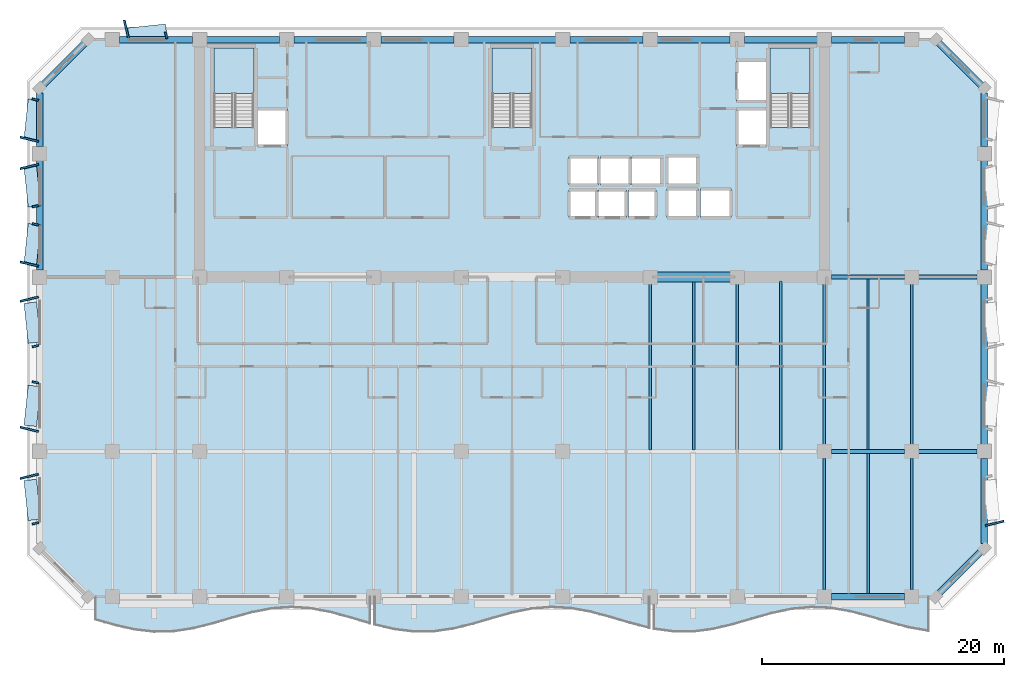
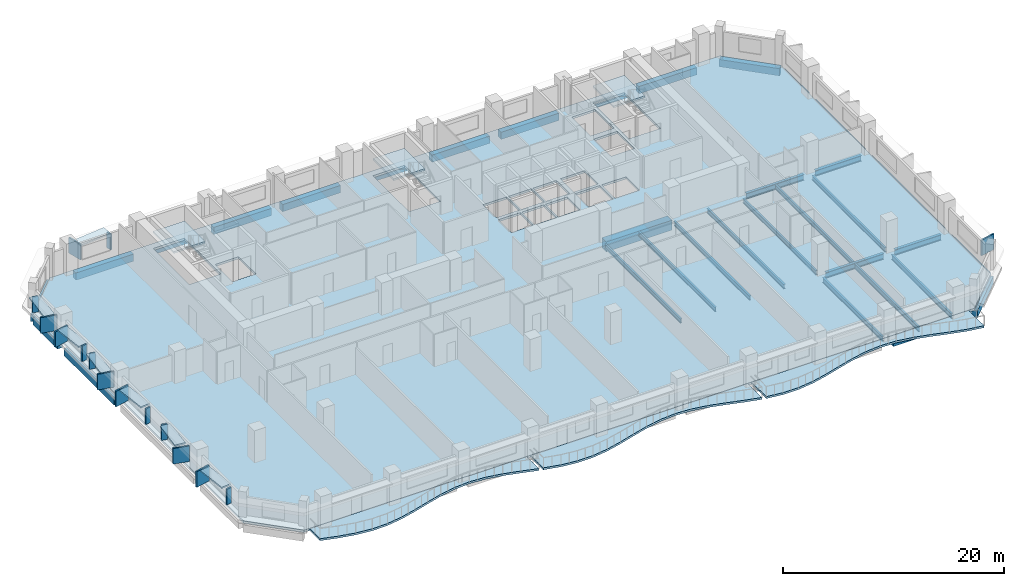
# One storey, part 2 of 14: 34 beams, 22 plates, 7 slabs, 3 elements without a shape of their own.
"""IFC4 building model written with IfcOpenShell, lengths in metres."""

import ifcopenshell
import ifcopenshell.guid

model = None  # the IFC model being written
_history = None  # IfcOwnerHistory: only IFC2X3 demands one
_inside = {}  # id of a spatial element -> (the spatial element, [elements in it])
_under = {}  # id of a project, library or spatial element -> (it, [spatial elements below it])
_declared = {}  # id of a project -> (the project, [libraries it declares])
_typed = {}  # id of a type object -> (the type object, [elements of that type])
_made_of = {}  # id of a material, layer set ... -> (it, [elements and type objects made of it])


def new_model(schema):
    """Start an empty IFC model of exactly this schema.

    Asked for "IFC4X3", IfcOpenShell would pick the latest addendum, in which some entities
    have other attributes; the version numbers below select the first issue.
    IFC2X3 requires an IfcOwnerHistory on every rooted entity: one is made here for all.
    """
    global model, _history
    if schema == "IFC4X3":
        model = ifcopenshell.file(schema_version=(4, 3, 0, 0))
    else:
        model = ifcopenshell.file(schema=schema)
    _inside.clear()
    _under.clear()
    _declared.clear()
    _typed.clear()
    _made_of.clear()
    _history = None
    if model.schema == "IFC2X3":
        org = make("IfcOrganization", Name="unknown")
        user = make(
            "IfcPersonAndOrganization",
            ThePerson=make("IfcPerson", FamilyName="unknown"),
            TheOrganization=org,
        )
        app = make(
            "IfcApplication",
            ApplicationDeveloper=org,
            Version="unknown",
            ApplicationFullName="unknown",
            ApplicationIdentifier="unknown",
        )
        _history = make(
            "IfcOwnerHistory",
            OwningUser=user,
            OwningApplication=app,
            ChangeAction="ADDED",
            CreationDate=0,
        )
    return model


def make(cls, **values):
    """One entity of the class cls with the attributes given. An attribute that is None is left unset."""
    return model.create_entity(
        cls, **{name: value for name, value in values.items() if value is not None}
    )


def rooted(cls, **values):
    """An entity with a GlobalId (a new one), such as an element, a storey or a relation."""
    return make(cls, GlobalId=ifcopenshell.guid.new(), OwnerHistory=_history, **values)


def si_unit(unit_type, name, prefix=None):
    """IfcSIUnit, for example si_unit("LENGTHUNIT", "METRE", prefix="MILLI")."""
    return make("IfcSIUnit", UnitType=unit_type, Prefix=prefix, Name=name)


def assignment(units):
    """IfcUnitAssignment: the units of a project."""
    return None if units is None else make("IfcUnitAssignment", Units=units)


def point(xyz):
    """IfcCartesianPoint."""
    return None if xyz is None else make("IfcCartesianPoint", Coordinates=xyz)


def direction(xyz):
    """IfcDirection."""
    return None if xyz is None else make("IfcDirection", DirectionRatios=xyz)


def frame(location, z_axis=None, x_axis=None):
    """IfcAxis2Placement3D, a coordinate frame: its origin and axes. An axis left out is left unset."""
    return make(
        "IfcAxis2Placement3D",
        Location=point(location),
        Axis=direction(z_axis),
        RefDirection=direction(x_axis),
    )


def frame_2d(location, x_axis=None):
    """IfcAxis2Placement2D, a coordinate frame in the plane: its origin and x axis."""
    return make(
        "IfcAxis2Placement2D", Location=point(location), RefDirection=direction(x_axis)
    )


def origin():
    """The frame at (0, 0, 0) with its axes left unset."""
    return frame((0.0, 0.0, 0.0))


def origin_2d():
    """The frame at (0, 0) in the plane with its x axis left unset."""
    return frame_2d((0.0, 0.0))


def place(relative_to, where):
    """IfcLocalPlacement: puts the frame where relative to a parent placement (None: the world)."""
    return make(
        "IfcLocalPlacement", PlacementRelTo=relative_to, RelativePlacement=where
    )


def context(
    kind, dimensions, precision=None, world=None, true_north=None, identifier=None
):
    """IfcGeometricRepresentationContext, for example the 3D "Model" context."""
    return make(
        "IfcGeometricRepresentationContext",
        ContextIdentifier=identifier,
        ContextType=kind,
        CoordinateSpaceDimension=dimensions,
        Precision=precision,
        WorldCoordinateSystem=world,
        TrueNorth=true_north,
    )


def subcontext(parent, identifier, kind, view, scale=None):
    """IfcGeometricRepresentationSubContext, for example "Body" below "Model"."""
    return make(
        "IfcGeometricRepresentationSubContext",
        ContextIdentifier=identifier,
        ContextType=kind,
        ParentContext=parent,
        TargetScale=scale,
        TargetView=view,
    )


def project(units=None, contexts=None):
    """IfcProject with its units and contexts."""
    return rooted(
        "IfcProject",
        Name="project",
        RepresentationContexts=contexts,
        UnitsInContext=assignment(units),
    )


def spatial(cls, under=None, at=None, **own):
    """A site, building, storey or space (cls), placed at a placement, below another one or the project."""
    s = rooted(cls, ObjectPlacement=at, **own)
    if under is not None:
        _under.setdefault(under.id(), (under, []))[1].append(s)
    return s


def polyline(points):
    """IfcPolyline through the points."""
    return make("IfcPolyline", Points=[point(p) for p in points])


def profile(cls, at=None, kind="AREA", **sizes):
    """A parametric profile (cls). Its sizes go by their IFC names, for example OverallWidth=200.0."""
    return make(cls, ProfileType=kind, Position=at, **sizes)


def rectangle(**sizes):
    """IfcRectangleProfileDef."""
    return profile("IfcRectangleProfileDef", **sizes)


def i_section(**sizes):
    """IfcIShapeProfileDef."""
    return profile("IfcIShapeProfileDef", **sizes)


def outline(outer, holes=None, kind="AREA"):
    """IfcArbitraryClosedProfileDef: a profile drawn as a closed curve; with holes, ...WithVoids."""
    if holes is None:
        return make("IfcArbitraryClosedProfileDef", ProfileType=kind, OuterCurve=outer)
    return make(
        "IfcArbitraryProfileDefWithVoids",
        ProfileType=kind,
        OuterCurve=outer,
        InnerCurves=holes,
    )


def extrude(swept, where, along, depth):
    """IfcExtrudedAreaSolid: the profile swept, set in the frame where, extruded along a direction by depth."""
    return make(
        "IfcExtrudedAreaSolid",
        SweptArea=swept,
        Position=where,
        ExtrudedDirection=direction(along),
        Depth=depth,
    )


def shape(context_of_items, identifier, shape_type, items):
    """IfcShapeRepresentation: the items that make up one representation, for example the "Body"."""
    return make(
        "IfcShapeRepresentation",
        ContextOfItems=context_of_items,
        RepresentationIdentifier=identifier,
        RepresentationType=shape_type,
        Items=items,
    )


def material(Name=None, Category=None):
    """IfcMaterial."""
    return make("IfcMaterial", Name=Name, Category=Category)


def layer(
    of_material, thickness, ventilated=None, Name=None, Category=None, Priority=None
):
    """IfcMaterialLayer: one layer of a wall or slab, of a material (None: an air gap)."""
    return make(
        "IfcMaterialLayer",
        Material=of_material,
        LayerThickness=thickness,
        IsVentilated=ventilated,
        Name=Name,
        Category=Category,
        Priority=Priority,
    )


def layer_set(layers, Name=None):
    """IfcMaterialLayerSet."""
    return make("IfcMaterialLayerSet", MaterialLayers=layers, LayerSetName=Name)


def material_profile(
    of_material, cross_section, Name=None, Category=None, Priority=None
):
    """IfcMaterialProfile: a cross section and its material."""
    return make(
        "IfcMaterialProfile",
        Name=Name,
        Material=of_material,
        Profile=cross_section,
        Priority=Priority,
        Category=Category,
    )


def profile_set(profiles, Name=None, composite=None):
    """IfcMaterialProfileSet."""
    return make(
        "IfcMaterialProfileSet",
        Name=Name,
        MaterialProfiles=profiles,
        CompositeProfile=composite,
    )


def made_of(thing, what):
    """Note that an element or type object is made of a material, layer set ...; save() writes the relation."""
    if what is not None:
        _made_of.setdefault(what.id(), (what, []))[1].append(thing)
    return thing


def type_object(cls, material=None, **own):
    """A type object (cls), such as IfcWallType, which elements share."""
    return made_of(rooted(cls, **own), material)


def element(
    cls,
    number,
    at=None,
    inside=None,
    cuts=None,
    type_object=None,
    material=None,
    context=None,
    identifier="Body",
    shape_type=None,
    held_by="IfcProductDefinitionShape",
    body=None,
    shapes=None,
    **own,
):
    """One element of the class cls, such as IfcWall. Its Tag is "e" and its number.

    at: its placement. inside: the storey or other place that contains it. cuts: it is an
    opening in that element (IfcRelVoidsElement). A single representation is given by context,
    identifier, shape_type and body (its items); several are given by shapes. held_by: the class
    of the entity that holds the representations. save() writes the other relations.
    """
    e = rooted(cls, Tag="e%d" % number, ObjectPlacement=at, **own)
    if body is not None:
        shapes = [shape(context, identifier, shape_type, body)]
    if shapes is not None:
        e.Representation = make(held_by, Representations=shapes)
    if inside is not None:
        _inside.setdefault(inside.id(), (inside, []))[1].append(e)
    if cuts is not None:
        rooted(
            "IfcRelVoidsElement", RelatingBuildingElement=cuts, RelatedOpeningElement=e
        )
    if type_object is not None:
        _typed.setdefault(type_object.id(), (type_object, []))[1].append(e)
    return made_of(e, material)


def aggregate(whole, parts):
    """IfcRelAggregates: a whole, such as a stair, and the parts it consists of."""
    return rooted("IfcRelAggregates", RelatingObject=whole, RelatedObjects=parts)


def save(model, path):
    """Write the relations noted so far, then the file.

    IfcRelAggregates (storeys below a building ...), IfcRelContainedInSpatialStructure (elements
    in a storey), IfcRelDefinesByType, IfcRelAssociatesMaterial and IfcRelDeclares: one each for
    every whole, place, type object, material and project.
    """
    for whole, parts in _under.values():
        aggregate(whole, parts)
    for where, things in _inside.values():
        rooted(
            "IfcRelContainedInSpatialStructure",
            RelatedElements=things,
            RelatingStructure=where,
        )
    for kind, things in _typed.values():
        rooted("IfcRelDefinesByType", RelatedObjects=things, RelatingType=kind)
    for what, things in _made_of.values():
        rooted("IfcRelAssociatesMaterial", RelatedObjects=things, RelatingMaterial=what)
    for by, libraries in _declared.values():
        rooted("IfcRelDeclares", RelatingContext=by, RelatedDefinitions=libraries)
    model.write(path)


model = new_model("IFC4")

# Units and contexts
model_context = context("Model", 3, precision=1e-05, world=origin(), true_north=direction((0.0, 1.0)))
body_context = subcontext(model_context, "Body", "Model", "MODEL_VIEW")
ifc_project = project(units=[si_unit("LENGTHUNIT", "METRE"), si_unit("AREAUNIT", "SQUARE_METRE"), si_unit("VOLUMEUNIT", "CUBIC_METRE"), si_unit("PLANEANGLEUNIT", "RADIAN"), si_unit("MASSUNIT", "GRAM", prefix="KILO")], contexts=[model_context])

# Site, building, storey
site_placement = place(None, origin())
site = spatial("IfcSite", under=ifc_project, at=site_placement, CompositionType="ELEMENT")
building_placement = place(site_placement, origin())
building = spatial("IfcBuilding", under=site, at=building_placement, Name="Kaelvorn Grand Hotel", CompositionType="ELEMENT")
storey_placement = place(building_placement, frame((0.0, 0.0, 190.14990234375)))
storey = spatial("IfcBuildingStorey", under=building, at=storey_placement, Name="L46", CompositionType="ELEMENT", Elevation=190.14990234375)

# Beams
ifc_material_1 = material(Name="Steel S355", Category="steel")
ifc_material_profile_1 = material_profile(ifc_material_1, i_section(OverallWidth=0.300048828125, OverallDepth=0.64990234375, WebThickness=0.01611328125, FlangeThickness=0.031005859375, FilletRadius=0.027099609375, at=origin_2d()), Name="HEB 650")
ifc_profile_set_1 = profile_set([ifc_material_profile_1], Name="Steel S355")
beam_type_1 = type_object("IfcBeamType", Name="BM-G-HEB650-S355", PredefinedType="BEAM", material=ifc_profile_set_1)
beam_1_placement = place(storey_placement, frame((68.385009765625, 15.0, -0.56494140625), z_axis=(1.0, 0.0, 0.0), x_axis=(0.0, 1.0, 0.0)))
element("IfcBeam", 1, at=beam_1_placement, inside=storey, type_object=beam_type_1, Name="L46 Primary Spine Steel Girder G-15 06", PredefinedType="BEAM", context=body_context, shape_type="SweptSolid", body=[
    extrude(i_section(OverallWidth=0.300048828125, OverallDepth=0.64990234375, WebThickness=0.01611328125, FlangeThickness=0.031005859375, FilletRadius=0.027099609375, at=origin_2d()), origin(), (0.0, 0.0, 1.0), 6.030029296875),
])
beam_2_placement = place(storey_placement, frame((75.5849609375, 15.0, -0.56494140625), z_axis=(1.0, 0.0, 0.0), x_axis=(0.0, 1.0, 0.0)))
element("IfcBeam", 2, at=beam_2_placement, inside=storey, type_object=beam_type_1, Name="L46 Primary Spine Steel Girder G-15 07", PredefinedType="BEAM", context=body_context, shape_type="SweptSolid", body=[
    extrude(i_section(OverallWidth=0.300048828125, OverallDepth=0.64990234375, WebThickness=0.01611328125, FlangeThickness=0.031005859375, FilletRadius=0.027099609375, at=origin_2d()), origin(), (0.0, 0.0, 1.0), 4.830078125),
])
beam_3_placement = place(storey_placement, frame((68.385009765625, 29.39990234375, -0.56494140625), z_axis=(1.0, 0.0, 0.0), x_axis=(0.0, 1.0, 0.0)))
element("IfcBeam", 3, at=beam_3_placement, inside=storey, type_object=beam_type_1, Name="L46 East Core Wing Steel Girder G-29E 01", PredefinedType="BEAM", context=body_context, shape_type="SweptSolid", body=[
    extrude(i_section(OverallWidth=0.300048828125, OverallDepth=0.64990234375, WebThickness=0.01611328125, FlangeThickness=0.031005859375, FilletRadius=0.027099609375, at=origin_2d()), origin(), (0.0, 0.0, 1.0), 6.030029296875),
])
beam_4_placement = place(storey_placement, frame((75.5849609375, 29.39990234375, -0.56494140625), z_axis=(1.0, 0.0, 0.0), x_axis=(0.0, 1.0, 0.0)))
element("IfcBeam", 4, at=beam_4_placement, inside=storey, type_object=beam_type_1, Name="L46 East Core Wing Steel Girder G-29E 02", PredefinedType="BEAM", context=body_context, shape_type="SweptSolid", body=[
    extrude(i_section(OverallWidth=0.300048828125, OverallDepth=0.64990234375, WebThickness=0.01611328125, FlangeThickness=0.031005859375, FilletRadius=0.027099609375, at=origin_2d()), origin(), (0.0, 0.0, 1.0), 4.830078125),
])
ifc_material_profile_2 = material_profile(ifc_material_1, i_section(OverallWidth=0.199951171875, OverallDepth=0.5, WebThickness=0.01025390625, FlangeThickness=0.01611328125, FilletRadius=0.02099609375, at=origin_2d()), Name="IPE 500")
ifc_profile_set_2 = profile_set([ifc_material_profile_2], Name="Steel S355")
beam_type_2 = type_object("IfcBeamType", Name="BM-J-IPE500-S355", PredefinedType="JOIST", material=ifc_profile_set_2)
beam_5_placement = place(storey_placement, frame((53.39990234375, 15.135009765625, -0.489990234375), z_axis=(0.0, 1.0, 0.0), x_axis=(-1.0, 0.0, 0.0)))
element("IfcBeam", 5, at=beam_5_placement, inside=storey, type_object=beam_type_2, Name="L46 Composite Floor Joist JM-15", PredefinedType="JOIST", context=body_context, shape_type="SweptSolid", body=[
    extrude(i_section(OverallWidth=0.199951171875, OverallDepth=0.5, WebThickness=0.01025390625, FlangeThickness=0.01611328125, FilletRadius=0.02099609375, at=origin_2d()), origin(), (0.0, 0.0, 1.0), 13.679931640625),
])
beam_6_placement = place(storey_placement, frame((57.0, 15.135009765625, -0.489990234375), z_axis=(0.0, 1.0, 0.0), x_axis=(-1.0, 0.0, 0.0)))
element("IfcBeam", 6, at=beam_6_placement, inside=storey, type_object=beam_type_2, Name="L46 Composite Floor Joist JM-16", PredefinedType="JOIST", context=body_context, shape_type="SweptSolid", body=[
    extrude(i_section(OverallWidth=0.199951171875, OverallDepth=0.5, WebThickness=0.01025390625, FlangeThickness=0.01611328125, FilletRadius=0.02099609375, at=origin_2d()), origin(), (0.0, 0.0, 1.0), 13.925048828125),
])
beam_7_placement = place(storey_placement, frame((60.60009765625, 15.135009765625, -0.489990234375), z_axis=(0.0, 1.0, 0.0), x_axis=(-1.0, 0.0, 0.0)))
element("IfcBeam", 7, at=beam_7_placement, inside=storey, type_object=beam_type_2, Name="L46 Composite Floor Joist JM-17", PredefinedType="JOIST", context=body_context, shape_type="SweptSolid", body=[
    extrude(i_section(OverallWidth=0.199951171875, OverallDepth=0.5, WebThickness=0.01025390625, FlangeThickness=0.01611328125, FilletRadius=0.02099609375, at=origin_2d()), origin(), (0.0, 0.0, 1.0), 13.679931640625),
])
beam_8_placement = place(storey_placement, frame((64.199951171875, 15.135009765625, -0.489990234375), z_axis=(0.0, 1.0, 0.0), x_axis=(-1.0, 0.0, 0.0)))
element("IfcBeam", 8, at=beam_8_placement, inside=storey, type_object=beam_type_2, Name="L46 Composite Floor Joist JM-18", PredefinedType="JOIST", context=body_context, shape_type="SweptSolid", body=[
    extrude(i_section(OverallWidth=0.199951171875, OverallDepth=0.5, WebThickness=0.01025390625, FlangeThickness=0.01611328125, FilletRadius=0.02099609375, at=origin_2d()), origin(), (0.0, 0.0, 1.0), 13.925048828125),
])
beam_9_placement = place(storey_placement, frame((67.800048828125, 15.5849609375, -0.489990234375), z_axis=(0.0, 1.0, 0.0), x_axis=(-1.0, 0.0, 0.0)))
element("IfcBeam", 9, at=beam_9_placement, inside=storey, type_object=beam_type_2, Name="L46 Composite Floor Joist JM-19", PredefinedType="JOIST", context=body_context, shape_type="SweptSolid", body=[
    extrude(i_section(OverallWidth=0.199951171875, OverallDepth=0.5, WebThickness=0.01025390625, FlangeThickness=0.01611328125, FilletRadius=0.02099609375, at=origin_2d()), origin(), (0.0, 0.0, 1.0), 13.22998046875),
])
beam_10_placement = place(storey_placement, frame((71.39990234375, 15.135009765625, -0.489990234375), z_axis=(0.0, 1.0, 0.0), x_axis=(-1.0, 0.0, 0.0)))
element("IfcBeam", 10, at=beam_10_placement, inside=storey, type_object=beam_type_2, Name="L46 Composite Floor Joist JM-20", PredefinedType="JOIST", context=body_context, shape_type="SweptSolid", body=[
    extrude(i_section(OverallWidth=0.199951171875, OverallDepth=0.5, WebThickness=0.01025390625, FlangeThickness=0.01611328125, FilletRadius=0.02099609375, at=origin_2d()), origin(), (0.0, 0.0, 1.0), 14.1298828125),
])
beam_11_placement = place(storey_placement, frame((75.0, 15.5849609375, -0.489990234375), z_axis=(0.0, 1.0, 0.0), x_axis=(-1.0, 0.0, 0.0)))
element("IfcBeam", 11, at=beam_11_placement, inside=storey, type_object=beam_type_2, Name="L46 Composite Floor Joist JM-21", PredefinedType="JOIST", context=body_context, shape_type="SweptSolid", body=[
    extrude(i_section(OverallWidth=0.199951171875, OverallDepth=0.5, WebThickness=0.01025390625, FlangeThickness=0.01611328125, FilletRadius=0.02099609375, at=origin_2d()), origin(), (0.0, 0.0, 1.0), 13.22998046875),
])
ifc_material_profile_3 = material_profile(ifc_material_1, i_section(OverallWidth=0.2099609375, OverallDepth=0.550048828125, WebThickness=0.010986328125, FlangeThickness=0.01708984375, FilletRadius=0.02392578125, at=origin_2d()), Name="IPE 550")
ifc_profile_set_3 = profile_set([ifc_material_profile_3], Name="Steel S355")
beam_type_3 = type_object("IfcBeamType", Name="BM-J-IPE550-S355", PredefinedType="JOIST", material=ifc_profile_set_3)
beam_12_placement = place(storey_placement, frame((67.800048828125, 3.5849609375, -0.514892578125), z_axis=(0.0, 1.0, 0.0), x_axis=(-1.0, 0.0, 0.0)))
element("IfcBeam", 12, at=beam_12_placement, inside=storey, type_object=beam_type_3, Name="L46 Composite Floor Joist JS-19", PredefinedType="JOIST", context=body_context, shape_type="SweptSolid", body=[
    extrude(i_section(OverallWidth=0.2099609375, OverallDepth=0.550048828125, WebThickness=0.010986328125, FlangeThickness=0.01708984375, FilletRadius=0.02392578125, at=origin_2d()), origin(), (0.0, 0.0, 1.0), 10.830078125),
])
beam_13_placement = place(storey_placement, frame((71.39990234375, 3.260009765625, -0.514892578125), z_axis=(0.0, 1.0, 0.0), x_axis=(-1.0, 0.0, 0.0)))
element("IfcBeam", 13, at=beam_13_placement, inside=storey, type_object=beam_type_3, Name="L46 Composite Floor Joist JS-20", PredefinedType="JOIST", context=body_context, shape_type="SweptSolid", body=[
    extrude(i_section(OverallWidth=0.2099609375, OverallDepth=0.550048828125, WebThickness=0.010986328125, FlangeThickness=0.01708984375, FilletRadius=0.02392578125, at=origin_2d()), origin(), (0.0, 0.0, 1.0), 11.60498046875),
])
beam_14_placement = place(storey_placement, frame((75.0, 3.5849609375, -0.514892578125), z_axis=(0.0, 1.0, 0.0), x_axis=(-1.0, 0.0, 0.0)))
element("IfcBeam", 14, at=beam_14_placement, inside=storey, type_object=beam_type_3, Name="L46 Composite Floor Joist JS-21", PredefinedType="JOIST", context=body_context, shape_type="SweptSolid", body=[
    extrude(i_section(OverallWidth=0.2099609375, OverallDepth=0.550048828125, WebThickness=0.010986328125, FlangeThickness=0.01708984375, FilletRadius=0.02392578125, at=origin_2d()), origin(), (0.0, 0.0, 1.0), 10.830078125),
])
ifc_material_2 = material(Name="Concrete C60/75", Category="concrete")
ifc_material_profile_4 = material_profile(ifc_material_2, rectangle(XDim=0.800048828125, YDim=1.10009765625, at=origin_2d()), Name="RC LINTEL 800x1100")
ifc_profile_set_4 = profile_set([ifc_material_profile_4], Name="Concrete C60/75")
beam_type_4 = type_object("IfcBeamType", Name="BM-LIN-800x1100-C60", PredefinedType="LINTEL", material=ifc_profile_set_4)
beam_15_placement = place(storey_placement, frame((53.580078125, 29.39990234375, -0.789794921875), z_axis=(1.0, 0.0, 0.0), x_axis=(0.0, 1.0, 0.0)))
element("IfcBeam", 15, at=beam_15_placement, inside=storey, type_object=beam_type_4, Name="L46 Rear-Core Coupling Lintel Beam CB1-03", PredefinedType="LINTEL", context=body_context, shape_type="SweptSolid", body=[
    extrude(rectangle(XDim=0.800048828125, YDim=1.10009765625, at=origin_2d()), origin(), (0.0, 0.0, 1.0), 6.83984375),
])
ifc_material_3 = material(Name="Concrete C50/60", Category="concrete")
ifc_material_profile_5 = material_profile(ifc_material_3, rectangle(XDim=0.550048828125, YDim=0.800048828125, at=origin_2d()), Name="RC SPANDREL 550x800")
ifc_profile_set_5 = profile_set([ifc_material_profile_5], Name="Concrete C50/60")
beam_type_5 = type_object("IfcBeamType", Name="BM-SP-550x800-C50", PredefinedType="SPANDREL", material=ifc_profile_set_5)
for number, where, z_axis, x_axis, name in (
    (16, (68.385009765625, 3.0, -0.639892578125), (1.0, 0.0, 0.0), (0.0, 1.0, 0.0), "L46 South Perimeter Spandrel 10"),
    (17, (9.5849609375, 49.0, -0.639892578125), (1.0, 0.0, 0.0), (0.0, 1.0, 0.0), "L46 North Perimeter Spandrel 02"),
    (18, (16.784912109375, 49.0, -0.639892578125), (1.0, 0.0, 0.0), (0.0, 1.0, 0.0), "L46 North Perimeter Spandrel 03"),
):
    element("IfcBeam", number, at=place(storey_placement, frame(where, z_axis=z_axis, x_axis=x_axis)), inside=storey, type_object=beam_type_5, Name=name, PredefinedType="SPANDREL", context=body_context, shape_type="SweptSolid", body=[
        extrude(rectangle(XDim=0.550048828125, YDim=0.800048828125, at=origin_2d()), origin(), (0.0, 0.0, 1.0), 6.030029296875),
    ])
beam_16_placement = place(storey_placement, frame((23.985107421875, 49.0, -0.639892578125), z_axis=(1.0, 0.0, 0.0), x_axis=(0.0, 1.0, 0.0)))
element("IfcBeam", 19, at=beam_16_placement, inside=storey, type_object=beam_type_5, Name="L46 North Perimeter Spandrel 04", PredefinedType="SPANDREL", context=body_context, shape_type="SweptSolid", body=[
    extrude(rectangle(XDim=0.550048828125, YDim=0.800048828125, at=origin_2d()), origin(), (0.0, 0.0, 1.0), 6.02978515625),
])
beam_17_placement = place(storey_placement, frame((31.18505859375, 49.0, -0.639892578125), z_axis=(1.0, 0.0, 0.0), x_axis=(0.0, 1.0, 0.0)))
element("IfcBeam", 20, at=beam_17_placement, inside=storey, type_object=beam_type_5, Name="L46 North Perimeter Spandrel 05", PredefinedType="SPANDREL", context=body_context, shape_type="SweptSolid", body=[
    extrude(rectangle(XDim=0.550048828125, YDim=0.800048828125, at=origin_2d()), origin(), (0.0, 0.0, 1.0), 6.030029296875),
])
beam_18_placement = place(storey_placement, frame((38.385009765625, 49.0, -0.639892578125), z_axis=(1.0, 0.0, 0.0), x_axis=(0.0, 1.0, 0.0)))
element("IfcBeam", 21, at=beam_18_placement, inside=storey, type_object=beam_type_5, Name="L46 North Perimeter Spandrel 06", PredefinedType="SPANDREL", context=body_context, shape_type="SweptSolid", body=[
    extrude(rectangle(XDim=0.550048828125, YDim=0.800048828125, at=origin_2d()), origin(), (0.0, 0.0, 1.0), 7.22998046875),
])
beam_19_placement = place(storey_placement, frame((46.784912109375, 49.0, -0.639892578125), z_axis=(1.0, 0.0, 0.0), x_axis=(0.0, 1.0, 0.0)))
element("IfcBeam", 22, at=beam_19_placement, inside=storey, type_object=beam_type_5, Name="L46 North Perimeter Spandrel 07", PredefinedType="SPANDREL", context=body_context, shape_type="SweptSolid", body=[
    extrude(rectangle(XDim=0.550048828125, YDim=0.800048828125, at=origin_2d()), origin(), (0.0, 0.0, 1.0), 6.030029296875),
])
beam_20_placement = place(storey_placement, frame((53.985107421875, 49.0, -0.639892578125), z_axis=(1.0, 0.0, 0.0), x_axis=(0.0, 1.0, 0.0)))
element("IfcBeam", 23, at=beam_20_placement, inside=storey, type_object=beam_type_5, Name="L46 North Perimeter Spandrel 08", PredefinedType="SPANDREL", context=body_context, shape_type="SweptSolid", body=[
    extrude(rectangle(XDim=0.550048828125, YDim=0.800048828125, at=origin_2d()), origin(), (0.0, 0.0, 1.0), 6.02978515625),
])
for number, where, z_axis, x_axis, name in (
    (24, (61.18505859375, 49.0, -0.639892578125), (1.0, 0.0, 0.0), (0.0, 1.0, 0.0), "L46 North Perimeter Spandrel 09"),
    (25, (68.385009765625, 49.0, -0.639892578125), (1.0, 0.0, 0.0), (0.0, 1.0, 0.0), "L46 North Perimeter Spandrel 10"),
):
    element("IfcBeam", number, at=place(storey_placement, frame(where, z_axis=z_axis, x_axis=x_axis)), inside=storey, type_object=beam_type_5, Name=name, PredefinedType="SPANDREL", context=body_context, shape_type="SweptSolid", body=[
        extrude(rectangle(XDim=0.550048828125, YDim=0.800048828125, at=origin_2d()), origin(), (0.0, 0.0, 1.0), 6.030029296875),
    ])
beam_21_placement = place(storey_placement, frame((3.0, 29.985107421875, -0.639892578125), z_axis=(0.0, 1.0, 0.0), x_axis=(-1.0, 0.0, 0.0)))
element("IfcBeam", 26, at=beam_21_placement, inside=storey, type_object=beam_type_5, Name="L46 West Perimeter Spandrel 03", PredefinedType="SPANDREL", context=body_context, shape_type="SweptSolid", body=[
    extrude(rectangle(XDim=0.550048828125, YDim=0.800048828125, at=origin_2d()), origin(), (0.0, 0.0, 1.0), 9.02978515625),
])
beam_22_placement = place(storey_placement, frame((3.0, 40.18505859375, -0.639892578125), z_axis=(0.0, 1.0, 0.0), x_axis=(-1.0, 0.0, 0.0)))
element("IfcBeam", 27, at=beam_22_placement, inside=storey, type_object=beam_type_5, Name="L46 West Perimeter Spandrel 04", PredefinedType="SPANDREL", context=body_context, shape_type="SweptSolid", body=[
    extrude(rectangle(XDim=0.550048828125, YDim=0.800048828125, at=origin_2d()), origin(), (0.0, 0.0, 1.0), 4.409912109375),
])
beam_23_placement = place(storey_placement, frame((81.0, 7.405029296875, -0.639892578125), z_axis=(0.0, 1.0, 0.0), x_axis=(-1.0, 0.0, 0.0)))
element("IfcBeam", 28, at=beam_23_placement, inside=storey, type_object=beam_type_5, Name="L46 East Perimeter Spandrel 01", PredefinedType="SPANDREL", context=body_context, shape_type="SweptSolid", body=[
    extrude(rectangle(XDim=0.550048828125, YDim=0.800048828125, at=origin_2d()), origin(), (0.0, 0.0, 1.0), 7.010009765625),
])
beam_24_placement = place(storey_placement, frame((81.0, 15.5849609375, -0.639892578125), z_axis=(0.0, 1.0, 0.0), x_axis=(-1.0, 0.0, 0.0)))
element("IfcBeam", 29, at=beam_24_placement, inside=storey, type_object=beam_type_5, Name="L46 East Perimeter Spandrel 02", PredefinedType="SPANDREL", context=body_context, shape_type="SweptSolid", body=[
    extrude(rectangle(XDim=0.550048828125, YDim=0.800048828125, at=origin_2d()), origin(), (0.0, 0.0, 1.0), 13.22998046875),
])
beam_25_placement = place(storey_placement, frame((81.0, 29.985107421875, -0.639892578125), z_axis=(0.0, 1.0, 0.0), x_axis=(-1.0, 0.0, 0.0)))
element("IfcBeam", 30, at=beam_25_placement, inside=storey, type_object=beam_type_5, Name="L46 East Perimeter Spandrel 03", PredefinedType="SPANDREL", context=body_context, shape_type="SweptSolid", body=[
    extrude(rectangle(XDim=0.550048828125, YDim=0.800048828125, at=origin_2d()), origin(), (0.0, 0.0, 1.0), 9.02978515625),
])
beam_26_placement = place(storey_placement, frame((81.0, 40.18505859375, -0.639892578125), z_axis=(0.0, 1.0, 0.0), x_axis=(-1.0, 0.0, 0.0)))
element("IfcBeam", 31, at=beam_26_placement, inside=storey, type_object=beam_type_5, Name="L46 East Perimeter Spandrel 04", PredefinedType="SPANDREL", context=body_context, shape_type="SweptSolid", body=[
    extrude(rectangle(XDim=0.550048828125, YDim=0.800048828125, at=origin_2d()), origin(), (0.0, 0.0, 1.0), 4.409912109375),
])
for number, where, z_axis, x_axis, name in (
    (32, (77.0, 3.0, -0.639892578125), (0.707106781187, 0.707106781187, 0.0), (-0.707106781187, 0.707106781187, 0.0), "L46 Chamfer Spandrel Beam 1"),
    (33, (81.0, 45.0, -0.639892578125), (-0.707106781187, 0.707106781187, 0.0), (-0.707106781187, -0.707106781187, 0.0), "L46 Chamfer Spandrel Beam 2"),
    (34, (7.0, 49.0, -0.639892578125), (-0.707106781187, -0.707106781187, 0.0), (0.707106781187, -0.707106781187, 0.0), "L46 Chamfer Spandrel Beam 3"),
):
    element("IfcBeam", number, at=place(storey_placement, frame(where, z_axis=z_axis, x_axis=x_axis)), inside=storey, type_object=beam_type_5, Name=name, PredefinedType="SPANDREL", context=body_context, shape_type="SweptSolid", body=[
        extrude(rectangle(XDim=0.550048828125, YDim=0.800048828125, at=origin_2d()), origin(), (0.0, 0.0, 1.0), 5.65673828125),
    ])

# Plates
ifc_material_4 = material(Name="Precast concrete C45/55", Category="concrete")
ifc_layer_1 = layer(ifc_material_4, 0.159912109375)
ifc_layer_set_1 = layer_set([ifc_layer_1], Name="Precast concrete C45/55")
plate_type_1 = type_object("IfcPlateType", Name="PL-FRAME-DEEP-1550", PredefinedType="USERDEFINED", material=ifc_layer_set_1)
for number, where, z_axis, x_axis, name in (
    (35, (81.85498046875, 9.06005859375, 0.81494140625), (0.0, 0.0, 1.0), (-0.233445363856, 0.972369920398, 0.0), "L46 Tilted Precast Window Frame Fin L-E01"),
    (36, (2.14501953125, 12.93994140625, 0.81494140625), (0.0, 0.0, 1.0), (-0.233445363856, 0.972369920398, 0.0), "L46 Tilted Precast Window Frame Fin R-W01"),
    (37, (2.14501953125, 16.824951171875, 0.81494140625), (0.0, 0.0, 1.0), (0.233445363856, 0.972369920398, 0.0), "L46 Tilted Precast Window Frame Fin L-W02"),
    (38, (2.14501953125, 27.574951171875, 0.81494140625), (0.0, 0.0, 1.0), (-0.233445363856, 0.972369920398, 0.0), "L46 Tilted Precast Window Frame Fin R-W03"),
    (39, (2.14501953125, 30.47509765625, 0.740234375), (0.0, 0.0, 1.0), (0.233445363856, 0.972369920398, 0.0), "L46 Tilted Precast Window Frame Fin L-W04"),
    (40, (2.14501953125, 38.52490234375, 0.740234375), (0.0, 0.0, 1.0), (-0.233445363856, 0.972369920398, 0.0), "L46 Tilted Precast Window Frame Fin R-W05"),
    (41, (2.14501953125, 40.77490234375, 0.740234375), (0.0, 0.0, 1.0), (0.233445363856, 0.972369920398, 0.0), "L46 Tilted Precast Window Frame Fin L-W06"),
    (42, (10.159912109375, 49.85498046875, 0.740234375), (0.0, 0.0, 1.0), (0.972369920398, 0.233445363856, 0.0), "L46 Tilted Precast Window Frame Fin L-N01"),
):
    element("IfcPlate", number, at=place(storey_placement, frame(where, z_axis=z_axis, x_axis=x_axis)), inside=storey, type_object=plate_type_1, Name=name, ObjectType="FLANGE_PLATE", PredefinedType="USERDEFINED", context=body_context, shape_type="SweptSolid", body=[
        extrude(rectangle(XDim=0.159912109375, YDim=1.550048828125, at=origin_2d()), origin(), (0.0, 0.0, 1.0), 1.719970703125),
    ])
ifc_layer_2 = layer(ifc_material_4, 0.159912109375)
ifc_layer_set_2 = layer_set([ifc_layer_2], Name="Precast concrete C45/55")
plate_type_2 = type_object("IfcPlateType", Name="PL-FRAME-HEAD-1050", PredefinedType="USERDEFINED", material=ifc_layer_set_2)
for number, where, z_axis, x_axis, name in (
    (43, (2.39501953125, 11.0, 2.5), (0.0, 0.0, 1.0), (-0.105830199459, 0.994384215926, 0.0), "L46 Precast Window Frame Head Hood H-W01"),
    (44, (2.39501953125, 18.764892578125, 2.5), (0.0, 0.0, 1.0), (0.105830199459, 0.994384215926, 0.0), "L46 Precast Window Frame Head Hood H-W02"),
    (45, (2.39501953125, 25.635009765625, 2.5), (0.0, 0.0, 1.0), (-0.105830199459, 0.994384215926, 0.0), "L46 Precast Window Frame Head Hood H-W03"),
    (46, (2.39501953125, 32.114990234375, 2.35009765625), (0.0, 0.0, 1.0), (0.105830199459, 0.994384215926, 0.0), "L46 Precast Window Frame Head Hood H-W04"),
    (47, (2.39501953125, 36.885009765625, 2.35009765625), (0.0, 0.0, 1.0), (-0.105830199459, 0.994384215926, 0.0), "L46 Precast Window Frame Head Hood H-W05"),
    (48, (2.39501953125, 42.4150390625, 2.35009765625), (0.0, 0.0, 1.0), (0.105830199459, 0.994384215926, 0.0), "L46 Precast Window Frame Head Hood H-W06"),
    (49, (11.800048828125, 49.60498046875, 2.35009765625), (0.0, 0.0, 1.0), (0.994384215926, 0.105830199459, 0.0), "L46 Precast Window Frame Head Hood H-N01"),
):
    element("IfcPlate", number, at=place(storey_placement, frame(where, z_axis=z_axis, x_axis=x_axis)), inside=storey, type_object=plate_type_2, Name=name, ObjectType="FLANGE_PLATE", PredefinedType="USERDEFINED", context=body_context, shape_type="SweptSolid", body=[
        extrude(rectangle(XDim=3.320068359375, YDim=1.050048828125, at=origin_2d()), origin(), (0.0, 0.0, 1.0), 0.159912109375),
    ])
ifc_layer_3 = layer(ifc_material_4, 0.159912109375)
ifc_layer_set_3 = layer_set([ifc_layer_3], Name="Precast concrete C45/55")
plate_type_3 = type_object("IfcPlateType", Name="PL-FRAME-SHAL-550", PredefinedType="USERDEFINED", material=ifc_layer_set_3)
for number, where, z_axis, x_axis, name in (
    (50, (2.64501953125, 9.06005859375, 0.81494140625), (0.0, 0.0, 1.0), (-0.233445363856, 0.972369920398, 0.0), "L46 Tilted Precast Window Frame Fin L-W01"),
    (51, (2.64501953125, 20.705078125, 0.81494140625), (0.0, 0.0, 1.0), (0.233445363856, 0.972369920398, 0.0), "L46 Tilted Precast Window Frame Fin R-W02"),
    (52, (2.64501953125, 23.695068359375, 0.81494140625), (0.0, 0.0, 1.0), (-0.233445363856, 0.972369920398, 0.0), "L46 Tilted Precast Window Frame Fin L-W03"),
    (53, (2.64501953125, 33.7548828125, 0.740234375), (0.0, 0.0, 1.0), (0.233445363856, 0.972369920398, 0.0), "L46 Tilted Precast Window Frame Fin R-W04"),
    (54, (2.64501953125, 35.2451171875, 0.740234375), (0.0, 0.0, 1.0), (-0.233445363856, 0.972369920398, 0.0), "L46 Tilted Precast Window Frame Fin L-W05"),
    (55, (2.64501953125, 44.054931640625, 0.740234375), (0.0, 0.0, 1.0), (0.233445363856, 0.972369920398, 0.0), "L46 Tilted Precast Window Frame Fin R-W06"),
    (56, (13.43994140625, 49.35498046875, 0.740234375), (0.0, 0.0, 1.0), (0.972369920398, 0.233445363856, 0.0), "L46 Tilted Precast Window Frame Fin R-N01"),
):
    element("IfcPlate", number, at=place(storey_placement, frame(where, z_axis=z_axis, x_axis=x_axis)), inside=storey, type_object=plate_type_3, Name=name, ObjectType="FLANGE_PLATE", PredefinedType="USERDEFINED", context=body_context, shape_type="SweptSolid", body=[
        extrude(rectangle(XDim=0.159912109375, YDim=0.550048828125, at=origin_2d()), origin(), (0.0, 0.0, 1.0), 1.719970703125),
    ])

# Slabs
ifc_material_5 = material(Name="Concrete C40/50", Category="concrete")
ifc_layer_4 = layer(ifc_material_5, 0.219970703125)
ifc_layer_set_4 = layer_set([ifc_layer_4], Name="Concrete C40/50")
slab_type_1 = type_object("IfcSlabType", Name="SLB-BALC-220-C40", PredefinedType="FLOOR", material=ifc_layer_set_4)
slab_1_placement = place(storey_placement, frame((0.0, 0.0, -0.219970703125)))
element("IfcSlab", 57, at=slab_1_placement, inside=storey, type_object=slab_type_1, Name="L46 Scalloped Wave Balcony Slab 1", PredefinedType="FLOOR", context=body_context, shape_type="SweptSolid", body=[
    extrude(outline(polyline([(7.60009765625, 1.125), (9.218994140625, 0.659912109375), (10.838134765625, 0.296142578125), (12.45703125, 0.11279296875), (14.076171875, 0.14990234375), (15.6953125, 0.399169921875), (17.314208984375, 0.806640625), (18.933349609375, 1.283447265625), (20.552490234375, 1.7255859375), (22.17138671875, 2.037109375), (23.79052734375, 2.14990234375), (25.409423828125, 2.039794921875), (27.028564453125, 1.730224609375), (28.647705078125, 1.2890625), (30.2666015625, 0.81201171875), (30.2666015625, 3.0), (7.60009765625, 3.0), (7.60009765625, 1.125)])), origin(), (0.0, 0.0, 1.0), 0.219970703125),
])
slab_2_placement = place(storey_placement, frame((0.0, 0.0, -0.219970703125)))
element("IfcSlab", 58, at=slab_2_placement, inside=storey, type_object=slab_type_1, Name="L46 Scalloped Wave Balcony Slab 2", PredefinedType="FLOOR", context=body_context, shape_type="SweptSolid", body=[
    extrude(outline(polyline([(30.666748046875, 0.700927734375), (32.28564453125, 0.32373046875), (33.90478515625, 0.120849609375), (35.52392578125, 0.13671875), (37.142822265625, 0.367919921875), (38.761962890625, 0.763671875), (40.380859375, 1.23828125), (42.0, 1.688232421875), (43.619140625, 2.015380859375), (45.238037109375, 2.14892578125), (46.857177734375, 2.059326171875), (48.47607421875, 1.766357421875), (50.09521484375, 1.333740234375), (51.71435546875, 0.855712890625), (53.333251953125, 0.436279296875), (53.333251953125, 3.0), (30.666748046875, 3.0), (30.666748046875, 0.700927734375)])), origin(), (0.0, 0.0, 1.0), 0.219970703125),
])
slab_3_placement = place(storey_placement, frame((0.0, 0.0, -0.219970703125)))
element("IfcSlab", 59, at=slab_3_placement, inside=storey, type_object=slab_type_1, Name="L46 Scalloped Wave Balcony Slab 3", PredefinedType="FLOOR", context=body_context, shape_type="SweptSolid", body=[
    extrude(outline(polyline([(53.7333984375, 0.352783203125), (55.352294921875, 0.131103515625), (56.971435546875, 0.125732421875), (58.590576171875, 0.337890625), (60.20947265625, 0.7216796875), (61.82861328125, 1.193115234375), (63.447509765625, 1.649658203125), (65.066650390625, 1.9921875), (66.685791015625, 2.145751953125), (68.3046875, 2.0771484375), (69.923828125, 1.801025390625), (71.54296875, 1.3779296875), (73.161865234375, 0.899658203125), (74.781005859375, 0.470458984375), (76.39990234375, 0.183837890625), (76.39990234375, 3.0), (53.7333984375, 3.0), (53.7333984375, 0.352783203125)])), origin(), (0.0, 0.0, 1.0), 0.219970703125),
])
ifc_layer_5 = layer(ifc_material_5, 0.239990234375)
ifc_layer_set_5 = layer_set([ifc_layer_5], Name="Concrete C40/50")
slab_type_2 = type_object("IfcSlabType", Name="SLB-FLR-240-C40", PredefinedType="FLOOR", material=ifc_layer_set_5)
slab_4_placement = place(storey_placement, frame((0.0, 0.0, -0.239990234375)))
element("IfcSlab", 60, at=slab_4_placement, inside=storey, type_object=slab_type_2, Name="L46 Indoor Suspended Floor Slab", PredefinedType="FLOOR", context=body_context, shape_type="SweptSolid", body=[
    extrude(outline(polyline([(7.0, 3.0), (77.0, 3.0), (81.0, 7.0), (81.0, 45.0), (77.0, 49.0), (7.0, 49.0), (3.0, 45.0), (3.0, 7.0), (7.0, 3.0)]), holes=[polyline([(17.39990234375, 41.760009765625), (17.39990234375, 48.300048828125), (20.679931640625, 48.300048828125), (20.679931640625, 41.760009765625), (17.39990234375, 41.760009765625)]), polyline([(40.360107421875, 41.760009765625), (40.360107421875, 48.300048828125), (43.639892578125, 48.300048828125), (43.639892578125, 41.760009765625), (40.360107421875, 41.760009765625)]), polyline([(63.320068359375, 41.760009765625), (63.320068359375, 48.300048828125), (66.60009765625, 48.300048828125), (66.60009765625, 41.760009765625), (63.320068359375, 41.760009765625)]), polyline([(46.699951171875, 34.300048828125), (46.699951171875, 36.60009765625), (49.0, 36.60009765625), (49.0, 34.300048828125), (46.699951171875, 34.300048828125)]), polyline([(49.14990234375, 34.300048828125), (49.14990234375, 36.60009765625), (51.449951171875, 36.60009765625), (51.449951171875, 34.300048828125), (49.14990234375, 34.300048828125)]), polyline([(51.60009765625, 34.300048828125), (51.60009765625, 36.60009765625), (53.89990234375, 36.60009765625), (53.89990234375, 34.300048828125), (51.60009765625, 34.300048828125)]), polyline([(46.699951171875, 37.0), (46.699951171875, 39.35009765625), (49.14990234375, 39.35009765625), (49.14990234375, 37.0), (46.699951171875, 37.0)]), polyline([(49.300048828125, 37.0), (49.300048828125, 39.35009765625), (51.75, 39.35009765625), (51.75, 37.0), (49.300048828125, 37.0)]), polyline([(51.89990234375, 37.0), (51.89990234375, 39.35009765625), (54.35009765625, 39.35009765625), (54.35009765625, 37.0), (51.89990234375, 37.0)]), polyline([(54.800048828125, 34.300048828125), (54.800048828125, 36.699951171875), (57.35009765625, 36.699951171875), (57.35009765625, 34.300048828125), (54.800048828125, 34.300048828125)]), polyline([(57.550048828125, 34.300048828125), (57.550048828125, 36.699951171875), (60.10009765625, 36.699951171875), (60.10009765625, 34.300048828125), (57.550048828125, 34.300048828125)]), polyline([(54.800048828125, 37.0), (54.800048828125, 39.39990234375), (57.35009765625, 39.39990234375), (57.35009765625, 37.0), (54.800048828125, 37.0)]), polyline([(21.0, 40.199951171875), (21.0, 43.300048828125), (23.449951171875, 43.300048828125), (23.449951171875, 40.199951171875), (21.0, 40.199951171875)]), polyline([(60.550048828125, 40.199951171875), (60.550048828125, 43.300048828125), (63.0, 43.300048828125), (63.0, 40.199951171875), (60.550048828125, 40.199951171875)]), polyline([(60.550048828125, 43.89990234375), (60.550048828125, 47.300048828125), (63.0, 47.300048828125), (63.0, 43.89990234375), (60.550048828125, 43.89990234375)])]), origin(), (0.0, 0.0, 1.0), 0.239990234375),
])

# Stair, slab
stair_type = type_object("IfcStairType", Name="STR-DOG-1560-R08", PredefinedType="HALF_TURN_STAIR", material=ifc_material_5)
stair_1_placement = place(storey_placement, origin())
stair_1 = element("IfcStair", 61, at=stair_1_placement, inside=storey, type_object=stair_type, Name="L46 West Core Exit Stair ST1", PredefinedType="HALF_TURN_STAIR")
ifc_layer_6 = layer(ifc_material_5, 0.199951171875)
ifc_layer_set_6 = layer_set([ifc_layer_6], Name="Concrete C40/50")
slab_type_3 = type_object("IfcSlabType", Name="SLB-LAND-200-C40", PredefinedType="LANDING", material=ifc_layer_set_6)
slab_5_placement = place(storey_placement, frame((0.0, 0.0, 1.7001953125)))
slab_5 = element("IfcSlab", 62, at=slab_5_placement, type_object=slab_type_3, Name="ST1 landing 1", PredefinedType="LANDING", context=body_context, shape_type="SweptSolid", body=[
    extrude(outline(polyline([(20.679931640625, 44.56005859375), (20.679931640625, 48.300048828125), (17.39990234375, 48.300048828125), (17.39990234375, 44.56005859375), (20.679931640625, 44.56005859375)])), origin(), (0.0, 0.0, 1.0), 0.199951171875),
])
aggregate(stair_1, [slab_5])

stair_2_placement = place(storey_placement, origin())
stair_2 = element("IfcStair", 63, at=stair_2_placement, inside=storey, type_object=stair_type, Name="L46 Central Core Exit Stair ST2", PredefinedType="HALF_TURN_STAIR")
slab_6_placement = place(storey_placement, frame((0.0, 0.0, 1.7001953125)))
slab_6 = element("IfcSlab", 64, at=slab_6_placement, type_object=slab_type_3, Name="ST2 landing 1", PredefinedType="LANDING", context=body_context, shape_type="SweptSolid", body=[
    extrude(outline(polyline([(43.639892578125, 44.56005859375), (43.639892578125, 48.300048828125), (40.360107421875, 48.300048828125), (40.360107421875, 44.56005859375), (43.639892578125, 44.56005859375)])), origin(), (0.0, 0.0, 1.0), 0.199951171875),
])
aggregate(stair_2, [slab_6])

stair_3_placement = place(storey_placement, origin())
stair_3 = element("IfcStair", 65, at=stair_3_placement, inside=storey, type_object=stair_type, Name="L46 East Core Exit Stair ST3", PredefinedType="HALF_TURN_STAIR")
slab_7_placement = place(storey_placement, frame((0.0, 0.0, 1.7001953125)))
slab_7 = element("IfcSlab", 66, at=slab_7_placement, type_object=slab_type_3, Name="ST3 landing 1", PredefinedType="LANDING", context=body_context, shape_type="SweptSolid", body=[
    extrude(outline(polyline([(66.60009765625, 44.56005859375), (66.60009765625, 48.300048828125), (63.320068359375, 48.300048828125), (63.320068359375, 44.56005859375), (66.60009765625, 44.56005859375)])), origin(), (0.0, 0.0, 1.0), 0.199951171875),
])
aggregate(stair_3, [slab_7])

save(model, "model.ifc")
